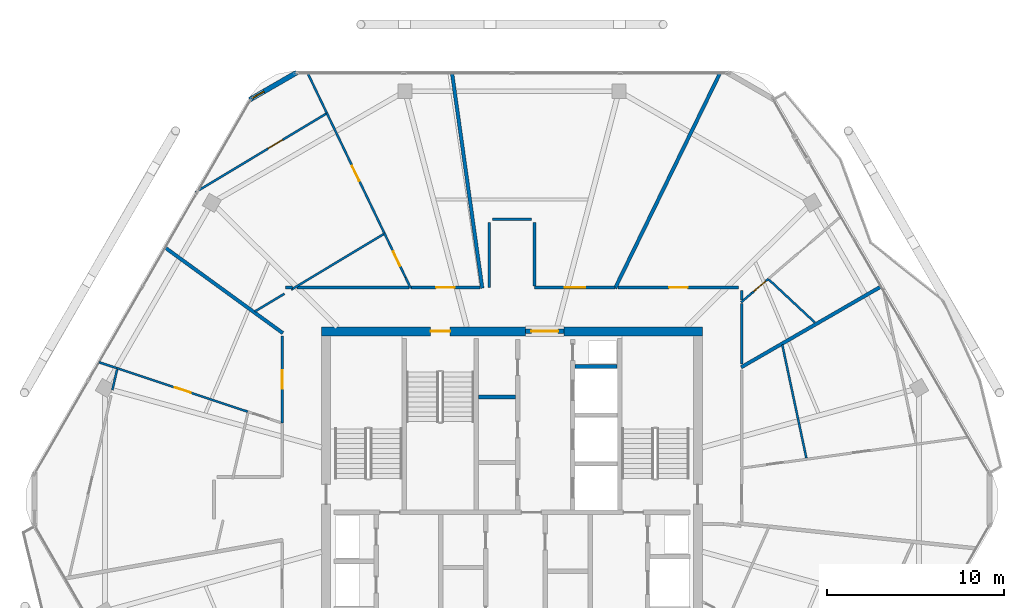
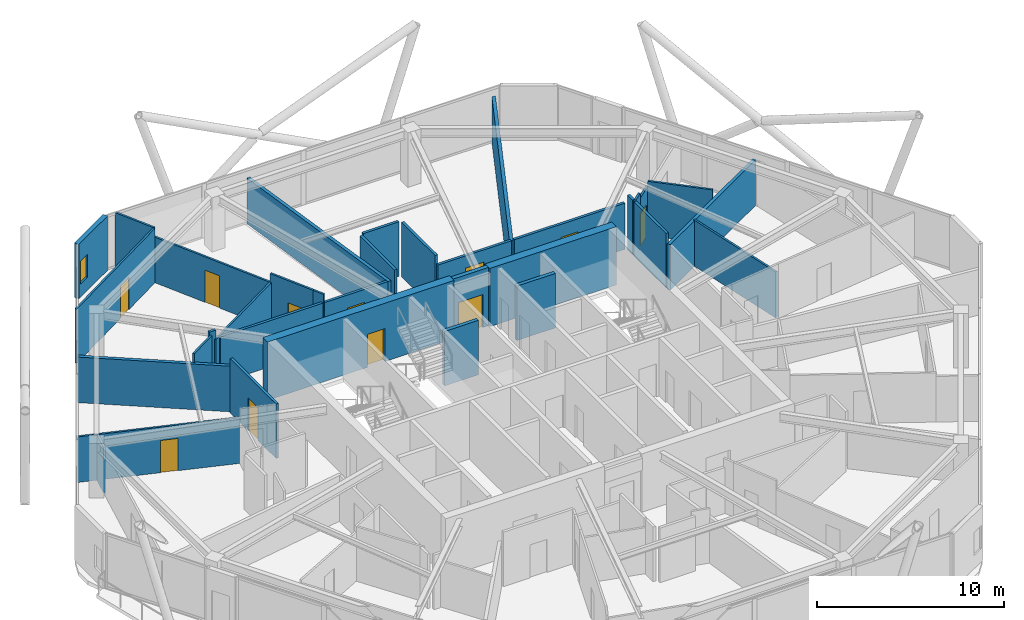
# One storey, part 20 of 24: 35 walls, 11 doors, 1 window, 12 openings.
"""IFC4 building model written with IfcOpenShell, lengths in metres."""

import ifcopenshell
import ifcopenshell.guid

model = None  # the IFC model being written
_history = None  # IfcOwnerHistory: only IFC2X3 demands one
_inside = {}  # id of a spatial element -> (the spatial element, [elements in it])
_under = {}  # id of a project, library or spatial element -> (it, [spatial elements below it])
_declared = {}  # id of a project -> (the project, [libraries it declares])
_typed = {}  # id of a type object -> (the type object, [elements of that type])
_made_of = {}  # id of a material, layer set ... -> (it, [elements and type objects made of it])


def new_model(schema):
    """Start an empty IFC model of exactly this schema.

    Asked for "IFC4X3", IfcOpenShell would pick the latest addendum, in which some entities
    have other attributes; the version numbers below select the first issue.
    IFC2X3 requires an IfcOwnerHistory on every rooted entity: one is made here for all.
    """
    global model, _history
    if schema == "IFC4X3":
        model = ifcopenshell.file(schema_version=(4, 3, 0, 0))
    else:
        model = ifcopenshell.file(schema=schema)
    _inside.clear()
    _under.clear()
    _declared.clear()
    _typed.clear()
    _made_of.clear()
    _history = None
    if model.schema == "IFC2X3":
        org = make("IfcOrganization", Name="unknown")
        user = make(
            "IfcPersonAndOrganization",
            ThePerson=make("IfcPerson", FamilyName="unknown"),
            TheOrganization=org,
        )
        app = make(
            "IfcApplication",
            ApplicationDeveloper=org,
            Version="unknown",
            ApplicationFullName="unknown",
            ApplicationIdentifier="unknown",
        )
        _history = make(
            "IfcOwnerHistory",
            OwningUser=user,
            OwningApplication=app,
            ChangeAction="ADDED",
            CreationDate=0,
        )
    return model


def make(cls, **values):
    """One entity of the class cls with the attributes given. An attribute that is None is left unset."""
    return model.create_entity(
        cls, **{name: value for name, value in values.items() if value is not None}
    )


def rooted(cls, **values):
    """An entity with a GlobalId (a new one), such as an element, a storey or a relation."""
    return make(cls, GlobalId=ifcopenshell.guid.new(), OwnerHistory=_history, **values)


def si_unit(unit_type, name, prefix=None):
    """IfcSIUnit, for example si_unit("LENGTHUNIT", "METRE", prefix="MILLI")."""
    return make("IfcSIUnit", UnitType=unit_type, Prefix=prefix, Name=name)


def assignment(units):
    """IfcUnitAssignment: the units of a project."""
    return None if units is None else make("IfcUnitAssignment", Units=units)


def point(xyz):
    """IfcCartesianPoint."""
    return None if xyz is None else make("IfcCartesianPoint", Coordinates=xyz)


def direction(xyz):
    """IfcDirection."""
    return None if xyz is None else make("IfcDirection", DirectionRatios=xyz)


def frame(location, z_axis=None, x_axis=None):
    """IfcAxis2Placement3D, a coordinate frame: its origin and axes. An axis left out is left unset."""
    return make(
        "IfcAxis2Placement3D",
        Location=point(location),
        Axis=direction(z_axis),
        RefDirection=direction(x_axis),
    )


def frame_2d(location, x_axis=None):
    """IfcAxis2Placement2D, a coordinate frame in the plane: its origin and x axis."""
    return make(
        "IfcAxis2Placement2D", Location=point(location), RefDirection=direction(x_axis)
    )


def origin():
    """The frame at (0, 0, 0) with its axes left unset."""
    return frame((0.0, 0.0, 0.0))


def place(relative_to, where):
    """IfcLocalPlacement: puts the frame where relative to a parent placement (None: the world)."""
    return make(
        "IfcLocalPlacement", PlacementRelTo=relative_to, RelativePlacement=where
    )


def context(
    kind, dimensions, precision=None, world=None, true_north=None, identifier=None
):
    """IfcGeometricRepresentationContext, for example the 3D "Model" context."""
    return make(
        "IfcGeometricRepresentationContext",
        ContextIdentifier=identifier,
        ContextType=kind,
        CoordinateSpaceDimension=dimensions,
        Precision=precision,
        WorldCoordinateSystem=world,
        TrueNorth=true_north,
    )


def subcontext(parent, identifier, kind, view, scale=None):
    """IfcGeometricRepresentationSubContext, for example "Body" below "Model"."""
    return make(
        "IfcGeometricRepresentationSubContext",
        ContextIdentifier=identifier,
        ContextType=kind,
        ParentContext=parent,
        TargetScale=scale,
        TargetView=view,
    )


def project(units=None, contexts=None):
    """IfcProject with its units and contexts."""
    return rooted(
        "IfcProject",
        Name="project",
        RepresentationContexts=contexts,
        UnitsInContext=assignment(units),
    )


def spatial(cls, under=None, at=None, **own):
    """A site, building, storey or space (cls), placed at a placement, below another one or the project."""
    s = rooted(cls, ObjectPlacement=at, **own)
    if under is not None:
        _under.setdefault(under.id(), (under, []))[1].append(s)
    return s


def profile(cls, at=None, kind="AREA", **sizes):
    """A parametric profile (cls). Its sizes go by their IFC names, for example OverallWidth=200.0."""
    return make(cls, ProfileType=kind, Position=at, **sizes)


def rectangle(**sizes):
    """IfcRectangleProfileDef."""
    return profile("IfcRectangleProfileDef", **sizes)


def extrude(swept, where, along, depth):
    """IfcExtrudedAreaSolid: the profile swept, set in the frame where, extruded along a direction by depth."""
    return make(
        "IfcExtrudedAreaSolid",
        SweptArea=swept,
        Position=where,
        ExtrudedDirection=direction(along),
        Depth=depth,
    )


def shape(context_of_items, identifier, shape_type, items):
    """IfcShapeRepresentation: the items that make up one representation, for example the "Body"."""
    return make(
        "IfcShapeRepresentation",
        ContextOfItems=context_of_items,
        RepresentationIdentifier=identifier,
        RepresentationType=shape_type,
        Items=items,
    )


def material(Name=None, Category=None):
    """IfcMaterial."""
    return make("IfcMaterial", Name=Name, Category=Category)


def layer(
    of_material, thickness, ventilated=None, Name=None, Category=None, Priority=None
):
    """IfcMaterialLayer: one layer of a wall or slab, of a material (None: an air gap)."""
    return make(
        "IfcMaterialLayer",
        Material=of_material,
        LayerThickness=thickness,
        IsVentilated=ventilated,
        Name=Name,
        Category=Category,
        Priority=Priority,
    )


def layer_set(layers, Name=None):
    """IfcMaterialLayerSet."""
    return make("IfcMaterialLayerSet", MaterialLayers=layers, LayerSetName=Name)


def made_of(thing, what):
    """Note that an element or type object is made of a material, layer set ...; save() writes the relation."""
    if what is not None:
        _made_of.setdefault(what.id(), (what, []))[1].append(thing)
    return thing


def type_object(cls, material=None, **own):
    """A type object (cls), such as IfcWallType, which elements share."""
    return made_of(rooted(cls, **own), material)


def element(
    cls,
    number,
    at=None,
    inside=None,
    cuts=None,
    type_object=None,
    material=None,
    context=None,
    identifier="Body",
    shape_type=None,
    held_by="IfcProductDefinitionShape",
    body=None,
    shapes=None,
    **own,
):
    """One element of the class cls, such as IfcWall. Its Tag is "e" and its number.

    at: its placement. inside: the storey or other place that contains it. cuts: it is an
    opening in that element (IfcRelVoidsElement). A single representation is given by context,
    identifier, shape_type and body (its items); several are given by shapes. held_by: the class
    of the entity that holds the representations. save() writes the other relations.
    """
    e = rooted(cls, Tag="e%d" % number, ObjectPlacement=at, **own)
    if body is not None:
        shapes = [shape(context, identifier, shape_type, body)]
    if shapes is not None:
        e.Representation = make(held_by, Representations=shapes)
    if inside is not None:
        _inside.setdefault(inside.id(), (inside, []))[1].append(e)
    if cuts is not None:
        rooted(
            "IfcRelVoidsElement", RelatingBuildingElement=cuts, RelatedOpeningElement=e
        )
    if type_object is not None:
        _typed.setdefault(type_object.id(), (type_object, []))[1].append(e)
    return made_of(e, material)


def fill(opening, filler):
    """IfcRelFillsElement: the door or window that sits in an opening."""
    return rooted(
        "IfcRelFillsElement",
        RelatingOpeningElement=opening,
        RelatedBuildingElement=filler,
    )


def aggregate(whole, parts):
    """IfcRelAggregates: a whole, such as a stair, and the parts it consists of."""
    return rooted("IfcRelAggregates", RelatingObject=whole, RelatedObjects=parts)


def save(model, path):
    """Write the relations noted so far, then the file.

    IfcRelAggregates (storeys below a building ...), IfcRelContainedInSpatialStructure (elements
    in a storey), IfcRelDefinesByType, IfcRelAssociatesMaterial and IfcRelDeclares: one each for
    every whole, place, type object, material and project.
    """
    for whole, parts in _under.values():
        aggregate(whole, parts)
    for where, things in _inside.values():
        rooted(
            "IfcRelContainedInSpatialStructure",
            RelatedElements=things,
            RelatingStructure=where,
        )
    for kind, things in _typed.values():
        rooted("IfcRelDefinesByType", RelatedObjects=things, RelatingType=kind)
    for what, things in _made_of.values():
        rooted("IfcRelAssociatesMaterial", RelatedObjects=things, RelatingMaterial=what)
    for by, libraries in _declared.values():
        rooted("IfcRelDeclares", RelatingContext=by, RelatedDefinitions=libraries)
    model.write(path)


model = new_model("IFC4")

# Units and contexts
model_context = context("Model", 3, precision=1e-05, world=origin(), true_north=direction((0.0, 1.0)))
body_context = subcontext(model_context, "Body", "Model", "MODEL_VIEW")
ifc_project = project(units=[si_unit("LENGTHUNIT", "METRE"), si_unit("AREAUNIT", "SQUARE_METRE"), si_unit("VOLUMEUNIT", "CUBIC_METRE"), si_unit("PLANEANGLEUNIT", "RADIAN"), si_unit("MASSUNIT", "GRAM", prefix="KILO")], contexts=[model_context])

# Site, building, storey
site_placement = place(None, origin())
site = spatial("IfcSite", under=ifc_project, at=site_placement, CompositionType="ELEMENT")
building_placement = place(site_placement, origin())
building = spatial("IfcBuilding", under=site, at=building_placement, Name="Zuhravey Tower", CompositionType="ELEMENT")
storey_placement = place(building_placement, frame((0.0, 0.0, 308.199951171875)))
storey = spatial("IfcBuildingStorey", under=building, at=storey_placement, Name="L78", CompositionType="ELEMENT", Elevation=308.199951171875)

# Wall
ifc_material_1 = material(Name="Concrete C50/60", Category="concrete")
ifc_layer_1 = layer(ifc_material_1, 0.5)
ifc_layer_set_1 = layer_set([ifc_layer_1], Name="Concrete C50/60")
wall_type_1 = type_object("IfcWallType", Name="Core Shear Wall 500", PredefinedType="SHEAR", material=ifc_layer_set_1)
wall_1_placement = place(storey_placement, frame((46.75, 41.5, 0.0), z_axis=(0.0, 0.0, 1.0), x_axis=(-1.0, 0.0, 0.0)))
element("IfcWall", 1, at=wall_1_placement, inside=storey, type_object=wall_type_1, Name="L78 North-East Core Shear Wall CW50", PredefinedType="SHEAR", context=body_context, shape_type="SweptSolid", body=[
    extrude(rectangle(XDim=7.800048828125, YDim=0.5, at=frame_2d((3.89990234375, 0.0))), origin(), (0.0, 0.0, 1.0), 3.800048828125),
])

# Wall, opening, door
wall_2_placement = place(storey_placement, frame((36.75, 41.5, 0.0), z_axis=(0.0, 0.0, 1.0), x_axis=(-1.0, 0.0, 0.0)))
wall_2 = element("IfcWall", 2, at=wall_2_placement, inside=storey, type_object=wall_type_1, Name="L78 North-West Core Shear Wall CW50", PredefinedType="SHEAR", context=body_context, shape_type="SweptSolid", body=[
    extrude(rectangle(XDim=11.5, YDim=0.5, at=frame_2d((5.75, 0.0))), origin(), (0.0, 0.0, 1.0), 3.800048828125),
])
opening_1_placement = place(wall_2_placement, frame((4.25, 0.0, 0.0)))
opening_1 = element("IfcOpeningElement", 3, at=opening_1_placement, cuts=wall_2, Name="Opening STD1", PredefinedType="OPENING", context=body_context, shape_type="SweptSolid", body=[
    extrude(rectangle(XDim=1.10009765625, YDim=2.14990234375, at=frame_2d((0.550048828125, 1.074951171875))), frame((0.0, 0.261962890625, 0.0), z_axis=(0.0, -1.0, 0.0), x_axis=(1.0, 0.0, 0.0)), (0.0, 0.0, 1.0), 0.52392578125),
])
ifc_material_2 = material(Name="Galvanised fire-rated steel leaf", Category="steel")
door_type_1 = type_object("IfcDoorType", Name="Protected Stair Fire Door 1100x2150", OperationType="NOTDEFINED", PredefinedType="USERDEFINED", material=ifc_material_2)
door_1_placement = place(opening_1_placement, origin())
door_1 = element("IfcDoor", 4, at=door_1_placement, inside=storey, type_object=door_type_1, Name="L78 Stair ST3 Door", ObjectType="EXITDOOR", OperationType="SINGLE_SWING_RIGHT", OverallHeight=2.14990234375, OverallWidth=1.10009765625, PredefinedType="USERDEFINED", context=body_context, shape_type="SweptSolid", body=[
    extrude(rectangle(XDim=1.10009765625, YDim=2.14990234375, at=frame_2d((0.550048828125, 1.074951171875))), frame((0.0, 0.02490234375, 0.0), z_axis=(0.0, -1.0, 0.0), x_axis=(1.0, 0.0, 0.0)), (0.0, 0.0, 1.0), 0.050048828125),
])
fill(opening_1, door_1)

ifc_material_3 = material(Name="Gypsum fire-rated stud partition")
ifc_layer_2 = layer(ifc_material_3, 0.159912109375)
ifc_layer_set_2 = layer_set([ifc_layer_2], Name="Gypsum fire-rated stud partition")
wall_type_2 = type_object("IfcWallType", Name="Corridor Fire Partition 160", PredefinedType="PARTITIONING", material=ifc_layer_set_2)
wall_3_placement = place(storey_placement, frame((34.189453125, 43.97998046875, 0.0), z_axis=(0.0, 0.0, 1.0), x_axis=(-1.0, 0.0, 0.0)))
wall_3 = element("IfcWall", 5, at=wall_3_placement, inside=storey, type_object=wall_type_2, Name="L78 IW16 Partition 023", PredefinedType="PARTITIONING", context=body_context, shape_type="SweptSolid", body=[
    extrude(rectangle(XDim=3.9072265625, YDim=0.159912109375, at=frame_2d((1.95361328125, 0.0))), origin(), (0.0, 0.0, 1.0), 3.0),
])
opening_2_placement = place(wall_3_placement, frame((1.428466796875, 0.0, 0.0)))
opening_2 = element("IfcOpeningElement", 6, at=opening_2_placement, cuts=wall_3, Name="Opening APD1", PredefinedType="OPENING", context=body_context, shape_type="SweptSolid", body=[
    extrude(rectangle(XDim=1.050048828125, YDim=2.14990234375, at=frame_2d((0.52490234375, 1.074951171875))), frame((0.0, 0.092041015625, 0.0), z_axis=(0.0, -1.0, 0.0), x_axis=(1.0, 0.0, 0.0)), (0.0, 0.0, 1.0), 0.183837890625),
])
ifc_material_4 = material(Name="Solid-core oak fire-rated leaf")
door_type_2 = type_object("IfcDoorType", Name="Apartment Entrance Fire Door 1050x2150", OperationType="NOTDEFINED", PredefinedType="DOOR", material=ifc_material_4)
door_2_placement = place(opening_2_placement, frame((1.050048828125, 0.0, 0.0), z_axis=(0.0, 0.0, 1.0), x_axis=(-1.0, 0.0, 0.0)))
door_2 = element("IfcDoor", 7, at=door_2_placement, inside=storey, type_object=door_type_2, Name="L78 Door 023.1", OperationType="SINGLE_SWING_RIGHT", OverallHeight=2.14990234375, OverallWidth=1.050048828125, PredefinedType="DOOR", context=body_context, shape_type="SweptSolid", body=[
    extrude(rectangle(XDim=1.050048828125, YDim=2.14990234375, at=frame_2d((0.52490234375, 1.074951171875))), frame((0.0, 0.02490234375, 0.0), z_axis=(0.0, -1.0, 0.0), x_axis=(1.0, 0.0, 0.0)), (0.0, 0.0, 1.0), 0.050048828125),
])
fill(opening_2, door_2)

wall_4_placement = place(storey_placement, frame((23.02001953125, 41.23388671875, 0.0), z_axis=(0.0, 0.0, 1.0), x_axis=(0.0, -1.0, 0.0)))
wall_4 = element("IfcWall", 8, at=wall_4_placement, inside=storey, type_object=wall_type_2, Name="L78 IW16 Partition 027", PredefinedType="PARTITIONING", context=body_context, shape_type="SweptSolid", body=[
    extrude(rectangle(XDim=4.89501953125, YDim=0.159912109375, at=frame_2d((2.447509765625, 0.0))), origin(), (0.0, 0.0, 1.0), 3.550048828125),
])
opening_3_placement = place(wall_4_placement, frame((1.922607421875, 0.0, 0.0)))
opening_3 = element("IfcOpeningElement", 9, at=opening_3_placement, cuts=wall_4, Name="Opening APD1", PredefinedType="OPENING", context=body_context, shape_type="SweptSolid", body=[
    extrude(rectangle(XDim=1.050048828125, YDim=2.14990234375, at=frame_2d((0.52490234375, 1.074951171875))), frame((0.0, 0.092041015625, 0.0), z_axis=(0.0, -1.0, 0.0), x_axis=(1.0, 0.0, 0.0)), (0.0, 0.0, 1.0), 0.183837890625),
])
door_3_placement = place(opening_3_placement, frame((1.050048828125, 0.0, 0.0), z_axis=(0.0, 0.0, 1.0), x_axis=(-1.0, 0.0, 0.0)))
door_3 = element("IfcDoor", 10, at=door_3_placement, inside=storey, type_object=door_type_2, Name="L78 Door 027.1", OperationType="SINGLE_SWING_RIGHT", OverallHeight=2.14990234375, OverallWidth=1.050048828125, PredefinedType="DOOR", context=body_context, shape_type="SweptSolid", body=[
    extrude(rectangle(XDim=1.050048828125, YDim=2.14990234375, at=frame_2d((0.52490234375, 1.074951171875))), frame((0.0, 0.02490234375, 0.0), z_axis=(0.0, -1.0, 0.0), x_axis=(1.0, 0.0, 0.0)), (0.0, 0.0, 1.0), 0.050048828125),
])
fill(opening_3, door_3)

wall_5_placement = place(storey_placement, frame((48.800048828125, 43.97998046875, 0.0), z_axis=(0.0, 0.0, 1.0), x_axis=(-1.0, 0.0, 0.0)))
wall_5 = element("IfcWall", 11, at=wall_5_placement, inside=storey, type_object=wall_type_2, Name="L78 IW16 Partition 050", PredefinedType="PARTITIONING", context=body_context, shape_type="SweptSolid", body=[
    extrude(rectangle(XDim=6.8046875, YDim=0.159912109375, at=frame_2d((3.40234375, 0.0))), origin(), (0.0, 0.0, 1.0), 3.0),
])
opening_4_placement = place(wall_5_placement, frame((2.877197265625, 0.0, 0.0)))
opening_4 = element("IfcOpeningElement", 12, at=opening_4_placement, cuts=wall_5, Name="Opening APD1", PredefinedType="OPENING", context=body_context, shape_type="SweptSolid", body=[
    extrude(rectangle(XDim=1.050048828125, YDim=2.14990234375, at=frame_2d((0.52490234375, 1.074951171875))), frame((0.0, 0.092041015625, 0.0), z_axis=(0.0, -1.0, 0.0), x_axis=(1.0, 0.0, 0.0)), (0.0, 0.0, 1.0), 0.183837890625),
])
door_4_placement = place(opening_4_placement, frame((1.050048828125, 0.0, 0.0), z_axis=(0.0, 0.0, 1.0), x_axis=(-1.0, 0.0, 0.0)))
door_4 = element("IfcDoor", 13, at=door_4_placement, inside=storey, type_object=door_type_2, Name="L78 Door 050.1", OperationType="SINGLE_SWING_LEFT", OverallHeight=2.14990234375, OverallWidth=1.050048828125, PredefinedType="DOOR", context=body_context, shape_type="SweptSolid", body=[
    extrude(rectangle(XDim=1.050048828125, YDim=2.14990234375, at=frame_2d((0.52490234375, 1.074951171875))), frame((0.0, 0.02490234375, 0.0), z_axis=(0.0, -1.0, 0.0), x_axis=(1.0, 0.0, 0.0)), (0.0, 0.0, 1.0), 0.050048828125),
])
fill(opening_4, door_4)

wall_6_placement = place(storey_placement, frame((41.82080078125, 43.97998046875, 0.0), z_axis=(0.0, 0.0, 1.0), x_axis=(-1.0, 0.0, 0.0)))
wall_6 = element("IfcWall", 14, at=wall_6_placement, inside=storey, type_object=wall_type_2, Name="L78 IW16 Partition 051", PredefinedType="PARTITIONING", context=body_context, shape_type="SweptSolid", body=[
    extrude(rectangle(XDim=4.540771484375, YDim=0.159912109375, at=frame_2d((2.2705078125, 0.0))), origin(), (0.0, 0.0, 1.0), 3.0),
])
opening_5_placement = place(wall_6_placement, frame((1.6953125, 0.0, 0.0)))
opening_5 = element("IfcOpeningElement", 15, at=opening_5_placement, cuts=wall_6, Name="Opening CLD1", PredefinedType="OPENING", context=body_context, shape_type="SweptSolid", body=[
    extrude(rectangle(XDim=1.14990234375, YDim=2.199951171875, at=frame_2d((0.574951171875, 1.10009765625))), frame((0.0, 0.092041015625, 0.0), z_axis=(0.0, -1.0, 0.0), x_axis=(1.0, 0.0, 0.0)), (0.0, 0.0, 1.0), 0.183837890625),
])
ifc_material_5 = material(Name="Acoustic timber leaf with vision lite", Category="wood")
door_type_3 = type_object("IfcDoorType", Name="Classroom Acoustic Door 1150x2200", OperationType="NOTDEFINED", PredefinedType="DOOR", material=ifc_material_5)
door_5_placement = place(opening_5_placement, frame((1.14990234375, 0.0, 0.0), z_axis=(0.0, 0.0, 1.0), x_axis=(-1.0, 0.0, 0.0)))
door_5 = element("IfcDoor", 16, at=door_5_placement, inside=storey, type_object=door_type_3, Name="L78 Door 051.1", OperationType="SINGLE_SWING_RIGHT", OverallHeight=2.199951171875, OverallWidth=1.14990234375, PredefinedType="DOOR", context=body_context, shape_type="SweptSolid", body=[
    extrude(rectangle(XDim=1.14990234375, YDim=2.199951171875, at=frame_2d((0.574951171875, 1.10009765625))), frame((0.0, 0.02490234375, 0.0), z_axis=(0.0, -1.0, 0.0), x_axis=(1.0, 0.0, 0.0)), (0.0, 0.0, 1.0), 0.050048828125),
])
fill(opening_5, door_5)

# Walls
wall_7_placement = place(storey_placement, frame((30.184814453125, 43.97998046875, 0.0), z_axis=(0.0, 0.0, 1.0), x_axis=(-1.0, 0.0, 0.0)))
element("IfcWall", 17, at=wall_7_placement, inside=storey, type_object=wall_type_2, Name="L78 IW16 Partition 094", PredefinedType="PARTITIONING", context=body_context, shape_type="SweptSolid", body=[
    extrude(rectangle(XDim=6.3203125, YDim=0.159912109375, at=frame_2d((3.16015625, 0.0))), origin(), (0.0, 0.0, 1.0), 3.0),
])
wall_8_placement = place(storey_placement, frame((23.6005859375, 43.97998046875, 0.0), z_axis=(0.0, 0.0, 1.0), x_axis=(-1.0, 0.0, 0.0)))
element("IfcWall", 18, at=wall_8_placement, inside=storey, type_object=wall_type_2, Name="L78 IW16 Partition 095", PredefinedType="PARTITIONING", context=body_context, shape_type="SweptSolid", body=[
    extrude(rectangle(XDim=0.400634765625, YDim=0.159912109375, at=frame_2d((0.2001953125, 0.0))), origin(), (0.0, 0.0, 1.0), 3.550048828125),
])
wall_9_placement = place(storey_placement, frame((48.97998046875, 43.26611328125, 0.0), z_axis=(0.0, 0.0, 1.0), x_axis=(0.0, 1.0, 0.0)))
element("IfcWall", 19, at=wall_9_placement, inside=storey, type_object=wall_type_2, Name="L78 IW16 Partition 112", PredefinedType="PARTITIONING", context=body_context, shape_type="SweptSolid", body=[
    extrude(rectangle(XDim=0.533935546875, YDim=0.159912109375, at=frame_2d((0.26708984375, 0.0))), origin(), (0.0, 0.0, 1.0), 3.550048828125),
])
wall_10_placement = place(storey_placement, frame((48.97998046875, 39.6689453125, 0.0), z_axis=(0.0, 0.0, 1.0), x_axis=(0.0, 1.0, 0.0)))
element("IfcWall", 20, at=wall_10_placement, inside=storey, type_object=wall_type_2, Name="L78 IW16 Partition 113", PredefinedType="PARTITIONING", context=body_context, shape_type="SweptSolid", body=[
    extrude(rectangle(XDim=3.417724609375, YDim=0.159912109375, at=frame_2d((1.708984375, 0.0))), origin(), (0.0, 0.0, 1.0), 3.550048828125),
])
wall_11_placement = place(storey_placement, frame((37.280029296875, 44.068115234375, 0.0), z_axis=(0.0, 0.0, 1.0), x_axis=(0.0, 1.0, 0.0)))
element("IfcWall", 21, at=wall_11_placement, inside=storey, type_object=wall_type_2, Name="L78 IW16 Partition 114", PredefinedType="PARTITIONING", context=body_context, shape_type="SweptSolid", body=[
    extrude(rectangle(XDim=3.581787109375, YDim=0.159912109375, at=frame_2d((1.791015625, 0.0))), origin(), (0.0, 0.0, 1.0), 3.550048828125),
])
wall_12_placement = place(storey_placement, frame((34.719970703125, 47.64990234375, 0.0), z_axis=(0.0, 0.0, 1.0), x_axis=(0.0, -1.0, 0.0)))
element("IfcWall", 22, at=wall_12_placement, inside=storey, type_object=wall_type_2, Name="L78 IW16 Partition 115", PredefinedType="PARTITIONING", context=body_context, shape_type="SweptSolid", body=[
    extrude(rectangle(XDim=3.669921875, YDim=0.159912109375, at=frame_2d((1.8349609375, 0.0))), origin(), (0.0, 0.0, 1.0), 3.550048828125),
])
wall_13_placement = place(storey_placement, frame((37.10009765625, 47.830078125, 0.0), z_axis=(0.0, 0.0, 1.0), x_axis=(-1.0, 0.0, 0.0)))
element("IfcWall", 23, at=wall_13_placement, inside=storey, type_object=wall_type_2, Name="L78 IW16 Partition 116", PredefinedType="PARTITIONING", context=body_context, shape_type="SweptSolid", body=[
    extrude(rectangle(XDim=2.2001953125, YDim=0.159912109375, at=frame_2d((1.10009765625, 0.0))), origin(), (0.0, 0.0, 1.0), 3.550048828125),
])

# Wall, opening, window
ifc_material_6 = material(Name="Precast concrete C40/50", Category="concrete")
ifc_layer_3 = layer(ifc_material_6, 0.280029296875)
ifc_layer_set_3 = layer_set([ifc_layer_3], Name="Precast concrete C40/50")
wall_type_3 = type_object("IfcWallType", Name="Crown Architectural Wall 280", PredefinedType="SOLIDWALL", material=ifc_layer_set_3)
wall_14_placement = place(storey_placement, frame((21.188720703125, 54.589111328125, 0.0), z_axis=(0.0, 0.0, 1.0), x_axis=(0.866023752521, 0.50000286006, 0.0)))
wall_14 = element("IfcWall", 24, at=wall_14_placement, inside=storey, type_object=wall_type_3, Name="L78 Rounded Corner Closure Wall EW28-08", PredefinedType="SOLIDWALL", context=body_context, shape_type="SweptSolid", body=[
    extrude(rectangle(XDim=3.06494140625, YDim=0.280029296875, at=frame_2d((1.532470703125, 0.0))), origin(), (0.0, 0.0, 1.0), 3.550048828125),
])
opening_6_placement = place(wall_14_placement, frame((0.1728515625, 0.0, 0.85009765625)))
opening_6 = element("IfcOpeningElement", 25, at=opening_6_placement, cuts=wall_14, Name="Opening WN5", PredefinedType="OPENING", context=body_context, shape_type="SweptSolid", body=[
    extrude(rectangle(XDim=0.75, YDim=1.5, at=frame_2d((0.375, 0.75))), frame((0.0, 0.152099609375, 0.0), z_axis=(0.0, -1.0, 0.0), x_axis=(1.0, 0.0, 0.0)), (0.0, 0.0, 1.0), 0.303955078125),
])
ifc_material_7 = material(Name="Thermally broken aluminium and triple low-E glass", Category="aluminium")
window_type = type_object("IfcWindowType", Name="Residential Corner Casement Window 750x1500", PartitioningType="SINGLE_PANEL", PredefinedType="WINDOW", material=ifc_material_7)
window_placement = place(opening_6_placement, origin())
window = element("IfcWindow", 26, at=window_placement, inside=storey, type_object=window_type, Name="L78 Corner Casement Window WN5-08.1", OverallHeight=1.5, OverallWidth=0.75, PartitioningType="SINGLE_PANEL", PredefinedType="WINDOW", context=body_context, shape_type="SweptSolid", body=[
    extrude(rectangle(XDim=0.75, YDim=1.5, at=frame_2d((0.375, 0.75))), frame((0.0, 0.030029296875, 0.0), z_axis=(0.0, -1.0, 0.0), x_axis=(1.0, 0.0, 0.0)), (0.0, 0.0, 1.0), 0.06005859375),
])
fill(opening_6, window)

# Wall, opening, door
ifc_layer_4 = layer(ifc_material_1, 0.25)
ifc_layer_set_4 = layer_set([ifc_layer_4], Name="Concrete C50/60")
wall_type_4 = type_object("IfcWallType", Name="Firefighting Shaft & Stair Wall 250", PredefinedType="SOLIDWALL", material=ifc_layer_set_4)
wall_15_placement = place(storey_placement, frame((36.760009765625, 41.5, 0.0), z_axis=(0.0, 0.0, 1.0), x_axis=(1.0, 0.0, 0.0)))
wall_15 = element("IfcWall", 27, at=wall_15_placement, inside=storey, type_object=wall_type_4, Name="L78 FW25 Shaft Wall 002", PredefinedType="SOLIDWALL", context=body_context, shape_type="SweptSolid", body=[
    extrude(rectangle(XDim=2.179931640625, YDim=0.25, at=frame_2d((1.08984375, 0.0))), origin(), (0.0, 0.0, 1.0), 3.800048828125),
])
opening_7_placement = place(wall_15_placement, frame((0.340087890625, 0.0, 0.0)))
opening_7 = element("IfcOpeningElement", 28, at=opening_7_placement, cuts=wall_15, Name="Opening FFD1", PredefinedType="OPENING", context=body_context, shape_type="SweptSolid", body=[
    extrude(rectangle(XDim=1.5, YDim=2.14990234375, at=frame_2d((0.75, 1.074951171875))), frame((0.0, 0.136962890625, 0.0), z_axis=(0.0, -1.0, 0.0), x_axis=(1.0, 0.0, 0.0)), (0.0, 0.0, 1.0), 0.27392578125),
])
door_type_4 = type_object("IfcDoorType", Name="Firefighting Lobby Double Door 1500x2150", OperationType="DOUBLE_DOOR_SINGLE_SWING", PredefinedType="DOOR", material=ifc_material_2)
door_6_placement = place(opening_7_placement, origin())
door_6 = element("IfcDoor", 29, at=door_6_placement, inside=storey, type_object=door_type_4, Name="L78 North Lift Lobby Exit Door", OperationType="DOUBLE_DOOR_SINGLE_SWING", OverallHeight=2.14990234375, OverallWidth=1.5, PredefinedType="DOOR", context=body_context, shape_type="SweptSolid", body=[
    extrude(rectangle(XDim=1.5, YDim=2.14990234375, at=frame_2d((0.75, 1.074951171875))), frame((0.0, 0.02490234375, 0.0), z_axis=(0.0, -1.0, 0.0), x_axis=(1.0, 0.0, 0.0)), (0.0, 0.0, 1.0), 0.050048828125),
])
fill(opening_7, door_6)

# Walls
ifc_material_8 = material(Name="Gypsum double-stud party assembly")
ifc_layer_5 = layer(ifc_material_8, 0.199951171875)
ifc_layer_set_5 = layer_set([ifc_layer_5], Name="Gypsum double-stud party assembly")
wall_type_5 = type_object("IfcWallType", Name="Inter-Tenancy Party Wall 200", PredefinedType="PARTITIONING", material=ifc_layer_set_5)
wall_16_placement = place(storey_placement, frame((34.322021484375, 43.93994140625, 0.0), z_axis=(0.0, 0.0, 1.0), x_axis=(-0.139169963781, 0.990268509638, 0.0)))
element("IfcWall", 30, at=wall_16_placement, inside=storey, type_object=wall_type_5, Name="L78 IW20 Partition 058", PredefinedType="PARTITIONING", context=body_context, shape_type="SweptSolid", body=[
    extrude(rectangle(XDim=12.25341796875, YDim=0.199951171875, at=frame_2d((6.126708984375, 0.0))), origin(), (0.0, 0.0, 1.0), 2.969970703125),
])
wall_17_placement = place(storey_placement, frame((23.06005859375, 41.401611328125, 0.0), z_axis=(0.0, 0.0, 1.0), x_axis=(-0.80902654106, 0.587772112184, 0.0)))
element("IfcWall", 31, at=wall_17_placement, inside=storey, type_object=wall_type_5, Name="L78 IW20 Partition 063", PredefinedType="PARTITIONING", context=body_context, shape_type="SweptSolid", body=[
    extrude(rectangle(XDim=8.211669921875, YDim=0.199951171875, at=frame_2d((4.10595703125, 0.0))), origin(), (0.0, 0.0, 1.0), 2.969970703125),
])
wall_18_placement = place(storey_placement, frame((48.93994140625, 39.470947265625, 0.0), z_axis=(0.0, 0.0, 1.0), x_axis=(0.866028436312, 0.499994747472, 0.0)))
element("IfcWall", 32, at=wall_18_placement, inside=storey, type_object=wall_type_5, Name="L78 IW20 Partition 090", PredefinedType="PARTITIONING", context=body_context, shape_type="SweptSolid", body=[
    extrude(rectangle(XDim=9.13232421875, YDim=0.199951171875, at=frame_2d((4.566162109375, 0.0))), origin(), (0.0, 0.0, 1.0), 2.969970703125),
])
wall_19_placement = place(storey_placement, frame((41.823486328125, 43.93994140625, 0.0), z_axis=(0.0, 0.0, 1.0), x_axis=(0.438366981634, 0.898796077769, 0.0)))
element("IfcWall", 33, at=wall_19_placement, inside=storey, type_object=wall_type_5, Name="L78 IW20 Partition 093", PredefinedType="PARTITIONING", context=body_context, shape_type="SweptSolid", body=[
    extrude(rectangle(XDim=13.50048828125, YDim=0.199951171875, at=frame_2d((6.750244140625, 0.0))), origin(), (0.0, 0.0, 1.0), 2.969970703125),
])
ifc_material_9 = material(Name="Gypsum acoustic stud assembly")
ifc_layer_6 = layer(ifc_material_9, 0.219970703125)
ifc_layer_set_6 = layer_set([ifc_layer_6], Name="Gypsum acoustic stud assembly")
wall_type_6 = type_object("IfcWallType", Name="School Acoustic Compartment Wall 220", PredefinedType="PARTITIONING", material=ifc_layer_set_6)
wall_20_placement = place(storey_placement, frame((34.10791015625, 37.800048828125, 0.0), z_axis=(0.0, 0.0, 1.0), x_axis=(1.0, 0.0, 0.0)))
element("IfcWall", 34, at=wall_20_placement, inside=storey, type_object=wall_type_6, Name="L78 IW22 Partition 053", PredefinedType="PARTITIONING", context=body_context, shape_type="SweptSolid", body=[
    extrude(rectangle(XDim=2.083984375, YDim=0.219970703125, at=frame_2d((1.0419921875, 0.0))), origin(), (0.0, 0.0, 1.0), 3.550048828125),
])
wall_21_placement = place(storey_placement, frame((39.55810546875, 39.52490234375, 0.0), z_axis=(0.0, 0.0, 1.0), x_axis=(1.0, 0.0, 0.0)))
element("IfcWall", 35, at=wall_21_placement, inside=storey, type_object=wall_type_6, Name="L78 IW22 Partition 056", PredefinedType="PARTITIONING", context=body_context, shape_type="SweptSolid", body=[
    extrude(rectangle(XDim=2.3837890625, YDim=0.219970703125, at=frame_2d((1.19189453125, 0.0))), origin(), (0.0, 0.0, 1.0), 3.550048828125),
])

# Wall, opening, door
ifc_material_10 = material(Name="Gypsum metal-stud partition")
ifc_layer_7 = layer(ifc_material_10, 0.1201171875)
ifc_layer_set_7 = layer_set([ifc_layer_7], Name="Gypsum metal-stud partition")
wall_type_7 = type_object("IfcWallType", Name="Unit Internal Partition 120", PredefinedType="PARTITIONING", material=ifc_layer_set_7)
wall_22_placement = place(storey_placement, frame((29.987060546875, 44.550048828125, 0.0), z_axis=(0.0, 0.0, 1.0), x_axis=(-0.432094791042, 0.901828194034, 0.0)))
wall_22 = element("IfcWall", 36, at=wall_22_placement, inside=storey, type_object=wall_type_7, Name="L78 IW12 Partition 020", PredefinedType="PARTITIONING", context=body_context, shape_type="SweptSolid", body=[
    extrude(rectangle(XDim=2.769775390625, YDim=0.1201171875, at=frame_2d((1.384765625, 0.0))), origin(), (0.0, 0.0, 1.0), 3.550048828125),
])
opening_8_placement = place(wall_22_placement, frame((0.71337890625, 0.0, 0.0)))
opening_8 = element("IfcOpeningElement", 37, at=opening_8_placement, cuts=wall_22, Name="Opening WCD1", PredefinedType="OPENING", context=body_context, shape_type="SweptSolid", body=[
    extrude(rectangle(XDim=0.89990234375, YDim=2.10009765625, at=frame_2d((0.449951171875, 1.050048828125))), frame((0.0, 0.072021484375, 0.0), z_axis=(0.0, -1.0, 0.0), x_axis=(1.0, 0.0, 0.0)), (0.0, 0.0, 1.0), 0.14404296875),
])
ifc_material_11 = material(Name="Moisture-resistant timber leaf", Category="wood")
door_type_5 = type_object("IfcDoorType", Name="Bathroom & WC Internal Door 900x2100", OperationType="NOTDEFINED", PredefinedType="DOOR", material=ifc_material_11)
door_7_placement = place(opening_8_placement, origin())
door_7 = element("IfcDoor", 38, at=door_7_placement, inside=storey, type_object=door_type_5, Name="Apartment L78-01 Bathroom Door", OperationType="SINGLE_SWING_LEFT", OverallHeight=2.10009765625, OverallWidth=0.89990234375, PredefinedType="DOOR", context=body_context, shape_type="SweptSolid", body=[
    extrude(rectangle(XDim=0.89990234375, YDim=2.10009765625, at=frame_2d((0.449951171875, 1.050048828125))), frame((0.0, 0.02490234375, 0.0), z_axis=(0.0, -1.0, 0.0), x_axis=(1.0, 0.0, 0.0)), (0.0, 0.0, 1.0), 0.050048828125),
])
fill(opening_8, door_7)

wall_23_placement = place(storey_placement, frame((28.790283203125, 47.0478515625, 0.0), z_axis=(0.0, 0.0, 1.0), x_axis=(-0.432076809904, 0.901836809153, 0.0)))
wall_23 = element("IfcWall", 39, at=wall_23_placement, inside=storey, type_object=wall_type_7, Name="L78 IW12 Partition 021", PredefinedType="PARTITIONING", context=body_context, shape_type="SweptSolid", body=[
    extrude(rectangle(XDim=7.534912109375, YDim=0.1201171875, at=frame_2d((3.767578125, 0.0))), origin(), (0.0, 0.0, 1.0), 2.969970703125),
])
opening_9_placement = place(wall_23_placement, frame((3.267333984375, 0.0, 0.0)))
opening_9 = element("IfcOpeningElement", 40, at=opening_9_placement, cuts=wall_23, Name="Opening IND1", PredefinedType="OPENING", context=body_context, shape_type="SweptSolid", body=[
    extrude(rectangle(XDim=0.949951171875, YDim=2.10009765625, at=frame_2d((0.47509765625, 1.050048828125))), frame((0.0, 0.072021484375, 0.0), z_axis=(0.0, -1.0, 0.0), x_axis=(1.0, 0.0, 0.0)), (0.0, 0.0, 1.0), 0.14404296875),
])
ifc_material_12 = material(Name="Painted engineered timber leaf", Category="wood")
door_type_6 = type_object("IfcDoorType", Name="Internal Room & Bedroom Door 950x2100", OperationType="NOTDEFINED", PredefinedType="DOOR", material=ifc_material_12)
door_8_placement = place(opening_9_placement, origin())
door_8 = element("IfcDoor", 41, at=door_8_placement, inside=storey, type_object=door_type_6, Name="Apartment L78-01 Home Office Door", OperationType="SINGLE_SWING_RIGHT", OverallHeight=2.10009765625, OverallWidth=0.949951171875, PredefinedType="DOOR", context=body_context, shape_type="SweptSolid", body=[
    extrude(rectangle(XDim=0.949951171875, YDim=2.10009765625, at=frame_2d((0.47509765625, 1.050048828125))), frame((0.0, 0.02490234375, 0.0), z_axis=(0.0, -1.0, 0.0), x_axis=(1.0, 0.0, 0.0)), (0.0, 0.0, 1.0), 0.050048828125),
])
fill(opening_9, door_8)

wall_24_placement = place(storey_placement, frame((25.48681640625, 53.785400390625, 0.0), z_axis=(0.0, 0.0, 1.0), x_axis=(-0.857163620168, -0.515044200299, 0.0)))
wall_24 = element("IfcWall", 42, at=wall_24_placement, inside=storey, type_object=wall_type_7, Name="L78 IW12 Partition 022", PredefinedType="PARTITIONING", context=body_context, shape_type="SweptSolid", body=[
    extrude(rectangle(XDim=8.573974609375, YDim=0.1201171875, at=frame_2d((4.287109375, 0.0))), origin(), (0.0, 0.0, 1.0), 3.550048828125),
])
opening_10_placement = place(wall_24_placement, frame((2.84765625, 0.0, 0.0)))
opening_10 = element("IfcOpeningElement", 43, at=opening_10_placement, cuts=wall_24, Name="Opening IND1", PredefinedType="OPENING", context=body_context, shape_type="SweptSolid", body=[
    extrude(rectangle(XDim=0.949951171875, YDim=2.10009765625, at=frame_2d((0.47509765625, 1.050048828125))), frame((0.0, 0.072021484375, 0.0), z_axis=(0.0, -1.0, 0.0), x_axis=(1.0, 0.0, 0.0)), (0.0, 0.0, 1.0), 0.14404296875),
])
door_9_placement = place(opening_10_placement, frame((0.949951171875, 0.0, 0.0), z_axis=(0.0, 0.0, 1.0), x_axis=(-1.0, 0.0, 0.0)))
door_9 = element("IfcDoor", 44, at=door_9_placement, inside=storey, type_object=door_type_6, Name="Apartment L78-01 Bedroom 1 Door", OperationType="SINGLE_SWING_LEFT", OverallHeight=2.10009765625, OverallWidth=0.949951171875, PredefinedType="DOOR", context=body_context, shape_type="SweptSolid", body=[
    extrude(rectangle(XDim=0.949951171875, YDim=2.10009765625, at=frame_2d((0.47509765625, 1.050048828125))), frame((0.0, 0.02490234375, 0.0), z_axis=(0.0, -1.0, 0.0), x_axis=(1.0, 0.0, 0.0)), (0.0, 0.0, 1.0), 0.050048828125),
])
fill(opening_10, door_9)

wall_25_placement = place(storey_placement, frame((21.0732421875, 36.965576171875, 0.0), z_axis=(0.0, 0.0, 1.0), x_axis=(-0.948883822728, 0.315625554995, 0.0)))
wall_25 = element("IfcWall", 45, at=wall_25_placement, inside=storey, type_object=wall_type_7, Name="L78 IW12 Partition 025", PredefinedType="PARTITIONING", context=body_context, shape_type="SweptSolid", body=[
    extrude(rectangle(XDim=7.78466796875, YDim=0.1201171875, at=frame_2d((3.892333984375, 0.0))), origin(), (0.0, 0.0, 1.0), 2.969970703125),
])
opening_11_placement = place(wall_25_placement, frame((3.39208984375, 0.0, 0.0)))
opening_11 = element("IfcOpeningElement", 46, at=opening_11_placement, cuts=wall_25, Name="Opening IND1", PredefinedType="OPENING", context=body_context, shape_type="SweptSolid", body=[
    extrude(rectangle(XDim=0.949951171875, YDim=2.10009765625, at=frame_2d((0.47509765625, 1.050048828125))), frame((0.0, 0.072021484375, 0.0), z_axis=(0.0, -1.0, 0.0), x_axis=(1.0, 0.0, 0.0)), (0.0, 0.0, 1.0), 0.14404296875),
])
door_10_placement = place(opening_11_placement, origin())
door_10 = element("IfcDoor", 47, at=door_10_placement, inside=storey, type_object=door_type_6, Name="Apartment L78-02 Home Office Door", OperationType="SINGLE_SWING_RIGHT", OverallHeight=2.10009765625, OverallWidth=0.949951171875, PredefinedType="DOOR", context=body_context, shape_type="SweptSolid", body=[
    extrude(rectangle(XDim=0.949951171875, YDim=2.10009765625, at=frame_2d((0.47509765625, 1.050048828125))), frame((0.0, 0.02490234375, 0.0), z_axis=(0.0, -1.0, 0.0), x_axis=(1.0, 0.0, 0.0)), (0.0, 0.0, 1.0), 0.050048828125),
])
fill(opening_11, door_10)

wall_26_placement = place(storey_placement, frame((49.550048828125, 43.667236328125, 0.0), z_axis=(0.0, 0.0, 1.0), x_axis=(0.757782315792, 0.652507442006, 0.0)))
wall_26 = element("IfcWall", 48, at=wall_26_placement, inside=storey, type_object=wall_type_7, Name="L78 IW12 Partition 048", PredefinedType="PARTITIONING", context=body_context, shape_type="SweptSolid", body=[
    extrude(rectangle(XDim=1.24072265625, YDim=0.1201171875, at=frame_2d((0.620361328125, 0.0))), origin(), (0.0, 0.0, 1.0), 3.199951171875),
])
opening_12_placement = place(wall_26_placement, frame((0.139892578125, 0.0, 0.0)))
opening_12 = element("IfcOpeningElement", 49, at=opening_12_placement, cuts=wall_26, Name="Opening WCD1", PredefinedType="OPENING", context=body_context, shape_type="SweptSolid", body=[
    extrude(rectangle(XDim=0.89990234375, YDim=2.10009765625, at=frame_2d((0.449951171875, 1.050048828125))), frame((0.0, 0.072021484375, 0.0), z_axis=(0.0, -1.0, 0.0), x_axis=(1.0, 0.0, 0.0)), (0.0, 0.0, 1.0), 0.14404296875),
])
door_11_placement = place(opening_12_placement, frame((0.89990234375, 0.0, 0.0), z_axis=(0.0, 0.0, 1.0), x_axis=(-1.0, 0.0, 0.0)))
door_11 = element("IfcDoor", 50, at=door_11_placement, inside=storey, type_object=door_type_5, Name="Apartment L78-08 Bathroom Door", OperationType="SINGLE_SWING_LEFT", OverallHeight=2.10009765625, OverallWidth=0.89990234375, PredefinedType="DOOR", context=body_context, shape_type="SweptSolid", body=[
    extrude(rectangle(XDim=0.89990234375, YDim=2.10009765625, at=frame_2d((0.449951171875, 1.050048828125))), frame((0.0, 0.02490234375, 0.0), z_axis=(0.0, -1.0, 0.0), x_axis=(1.0, 0.0, 0.0)), (0.0, 0.0, 1.0), 0.050048828125),
])
fill(opening_12, door_11)

# Walls
wall_27_placement = place(storey_placement, frame((30.280517578125, 43.9375, 0.0), z_axis=(0.0, 0.0, 1.0), x_axis=(-0.432053187678, 0.901848126359, 0.0)))
element("IfcWall", 51, at=wall_27_placement, inside=storey, type_object=wall_type_7, Name="L78 IW12 Partition 059", PredefinedType="PARTITIONING", context=body_context, shape_type="SweptSolid", body=[
    extrude(rectangle(XDim=0.67919921875, YDim=0.1201171875, at=frame_2d((0.339599609375, 0.0))), origin(), (0.0, 0.0, 1.0), 3.550048828125),
])
wall_28_placement = place(storey_placement, frame((25.53466796875, 53.843017578125, 0.0), z_axis=(0.0, 0.0, 1.0), x_axis=(-0.432145203879, 0.901804037896, 0.0)))
element("IfcWall", 52, at=wall_28_placement, inside=storey, type_object=wall_type_7, Name="L78 IW12 Partition 060", PredefinedType="PARTITIONING", context=body_context, shape_type="SweptSolid", body=[
    extrude(rectangle(XDim=2.4794921875, YDim=0.1201171875, at=frame_2d((1.23974609375, 0.0))), origin(), (0.0, 0.0, 1.0), 3.550048828125),
])
wall_29_placement = place(storey_placement, frame((28.742431640625, 46.990234375, 0.0), z_axis=(0.0, 0.0, 1.0), x_axis=(-0.85717020717, -0.515033237704, 0.0)))
element("IfcWall", 53, at=wall_29_placement, inside=storey, type_object=wall_type_7, Name="L78 IW12 Partition 061", PredefinedType="PARTITIONING", context=body_context, shape_type="SweptSolid", body=[
    extrude(rectangle(XDim=6.07763671875, YDim=0.1201171875, at=frame_2d((3.038818359375, 0.0))), origin(), (0.0, 0.0, 1.0), 3.0),
])
wall_30_placement = place(storey_placement, frame((23.139892578125, 43.623779296875, 0.0), z_axis=(0.0, 0.0, 1.0), x_axis=(-0.857182204265, -0.515013270403, 0.0)))
element("IfcWall", 54, at=wall_30_placement, inside=storey, type_object=wall_type_7, Name="L78 IW12 Partition 062", PredefinedType="PARTITIONING", context=body_context, shape_type="SweptSolid", body=[
    extrude(rectangle(XDim=1.942138671875, YDim=0.1201171875, at=frame_2d((0.97119140625, 0.0))), origin(), (0.0, 0.0, 1.0), 3.550048828125),
])
wall_31_placement = place(storey_placement, frame((13.6865234375, 39.422607421875, 0.0), z_axis=(0.0, 0.0, 1.0), x_axis=(-0.948843569766, 0.315746544105, 0.0)))
element("IfcWall", 55, at=wall_31_placement, inside=storey, type_object=wall_type_7, Name="L78 IW12 Partition 065", PredefinedType="PARTITIONING", context=body_context, shape_type="SweptSolid", body=[
    extrude(rectangle(XDim=1.0654296875, YDim=0.1201171875, at=frame_2d((0.53271484375, 0.0))), origin(), (0.0, 0.0, 1.0), 2.969970703125),
])
wall_32_placement = place(storey_placement, frame((13.69482421875, 39.348388671875, 0.0), z_axis=(0.0, 0.0, 1.0), x_axis=(-0.225009033114, -0.974356677515, 0.0)))
element("IfcWall", 56, at=wall_32_placement, inside=storey, type_object=wall_type_7, Name="L78 IW12 Partition 068", PredefinedType="PARTITIONING", context=body_context, shape_type="SweptSolid", body=[
    extrude(rectangle(XDim=1.1923828125, YDim=0.1201171875, at=frame_2d((0.59619140625, 0.0))), origin(), (0.0, 0.0, 1.0), 2.969970703125),
])
wall_33_placement = place(storey_placement, frame((52.625732421875, 34.34619140625, 0.0), z_axis=(0.0, 0.0, 1.0), x_axis=(-0.207896658566, 0.978150795817, 0.0)))
element("IfcWall", 57, at=wall_33_placement, inside=storey, type_object=wall_type_7, Name="L78 IW12 Partition 089", PredefinedType="PARTITIONING", context=body_context, shape_type="SweptSolid", body=[
    extrude(rectangle(XDim=6.548095703125, YDim=0.1201171875, at=frame_2d((3.27392578125, 0.0))), origin(), (0.0, 0.0, 1.0), 3.0),
])
wall_34_placement = place(storey_placement, frame((48.93505859375, 43.1376953125, 0.0), z_axis=(0.0, 0.0, 1.0), x_axis=(0.757789461508, 0.652499143315, 0.0)))
element("IfcWall", 58, at=wall_34_placement, inside=storey, type_object=wall_type_7, Name="L78 IW12 Partition 091", PredefinedType="PARTITIONING", context=body_context, shape_type="SweptSolid", body=[
    extrude(rectangle(XDim=0.8115234375, YDim=0.1201171875, at=frame_2d((0.40576171875, 0.0))), origin(), (0.0, 0.0, 1.0), 3.550048828125),
])
wall_35_placement = place(storey_placement, frame((53.107666015625, 42.001708984375, 0.0), z_axis=(0.0, 0.0, 1.0), x_axis=(-0.731321501002, 0.682032889362, 0.0)))
element("IfcWall", 59, at=wall_35_placement, inside=storey, type_object=wall_type_7, Name="L78 IW12 Partition 092", PredefinedType="PARTITIONING", context=body_context, shape_type="SweptSolid", body=[
    extrude(rectangle(XDim=3.53662109375, YDim=0.1201171875, at=frame_2d((1.768310546875, 0.0))), origin(), (0.0, 0.0, 1.0), 3.550048828125),
])

save(model, "model.ifc")
